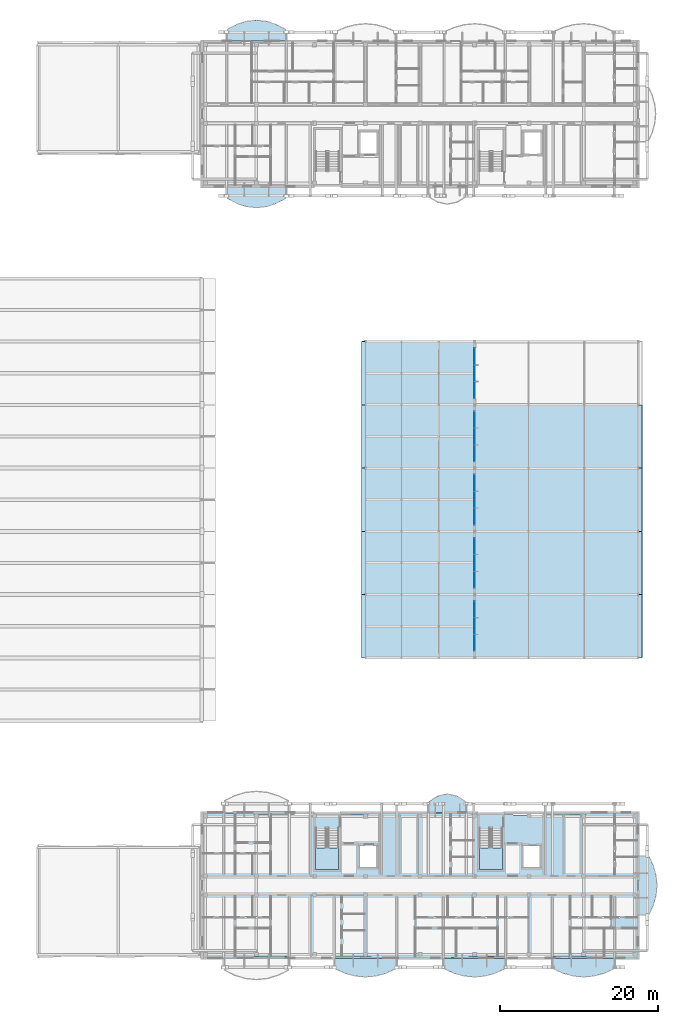
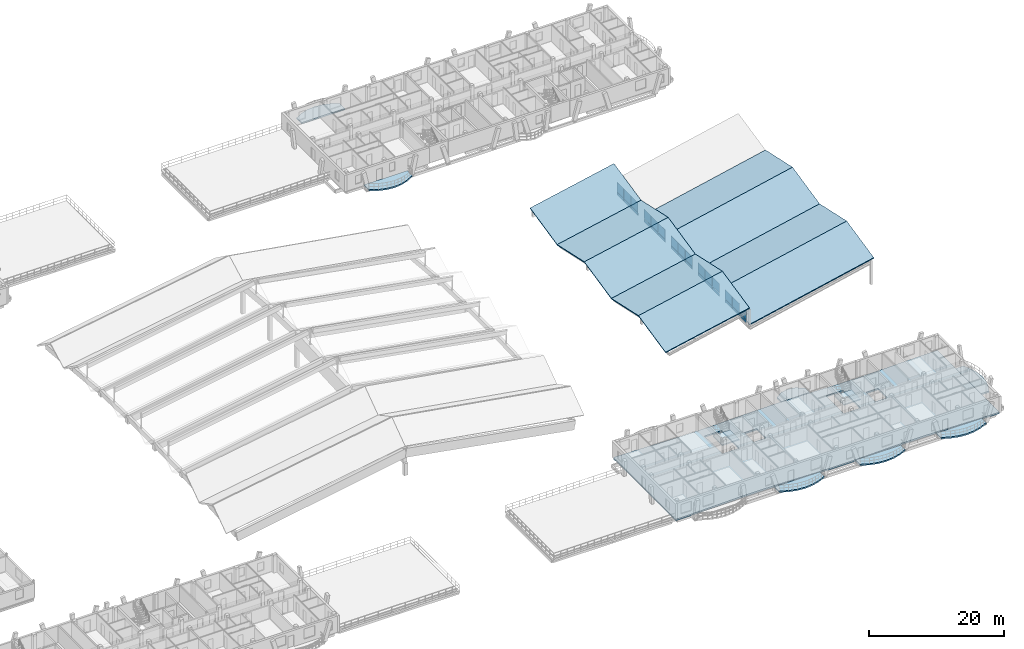
# One storey, part 54 of 109: 30 plates, 19 slabs, 7 elements without a shape of their own.
"""IFC4 building model written with IfcOpenShell, lengths in metres."""

import ifcopenshell
import ifcopenshell.guid

model = None  # the IFC model being written
_history = None  # IfcOwnerHistory: only IFC2X3 demands one
_inside = {}  # id of a spatial element -> (the spatial element, [elements in it])
_under = {}  # id of a project, library or spatial element -> (it, [spatial elements below it])
_declared = {}  # id of a project -> (the project, [libraries it declares])
_typed = {}  # id of a type object -> (the type object, [elements of that type])
_made_of = {}  # id of a material, layer set ... -> (it, [elements and type objects made of it])


def new_model(schema):
    """Start an empty IFC model of exactly this schema.

    Asked for "IFC4X3", IfcOpenShell would pick the latest addendum, in which some entities
    have other attributes; the version numbers below select the first issue.
    IFC2X3 requires an IfcOwnerHistory on every rooted entity: one is made here for all.
    """
    global model, _history
    if schema == "IFC4X3":
        model = ifcopenshell.file(schema_version=(4, 3, 0, 0))
    else:
        model = ifcopenshell.file(schema=schema)
    _inside.clear()
    _under.clear()
    _declared.clear()
    _typed.clear()
    _made_of.clear()
    _history = None
    if model.schema == "IFC2X3":
        org = make("IfcOrganization", Name="unknown")
        user = make(
            "IfcPersonAndOrganization",
            ThePerson=make("IfcPerson", FamilyName="unknown"),
            TheOrganization=org,
        )
        app = make(
            "IfcApplication",
            ApplicationDeveloper=org,
            Version="unknown",
            ApplicationFullName="unknown",
            ApplicationIdentifier="unknown",
        )
        _history = make(
            "IfcOwnerHistory",
            OwningUser=user,
            OwningApplication=app,
            ChangeAction="ADDED",
            CreationDate=0,
        )
    return model


def make(cls, **values):
    """One entity of the class cls with the attributes given. An attribute that is None is left unset."""
    return model.create_entity(
        cls, **{name: value for name, value in values.items() if value is not None}
    )


def rooted(cls, **values):
    """An entity with a GlobalId (a new one), such as an element, a storey or a relation."""
    return make(cls, GlobalId=ifcopenshell.guid.new(), OwnerHistory=_history, **values)


def si_unit(unit_type, name, prefix=None):
    """IfcSIUnit, for example si_unit("LENGTHUNIT", "METRE", prefix="MILLI")."""
    return make("IfcSIUnit", UnitType=unit_type, Prefix=prefix, Name=name)


def assignment(units):
    """IfcUnitAssignment: the units of a project."""
    return None if units is None else make("IfcUnitAssignment", Units=units)


def point(xyz):
    """IfcCartesianPoint."""
    return None if xyz is None else make("IfcCartesianPoint", Coordinates=xyz)


def direction(xyz):
    """IfcDirection."""
    return None if xyz is None else make("IfcDirection", DirectionRatios=xyz)


def frame(location, z_axis=None, x_axis=None):
    """IfcAxis2Placement3D, a coordinate frame: its origin and axes. An axis left out is left unset."""
    return make(
        "IfcAxis2Placement3D",
        Location=point(location),
        Axis=direction(z_axis),
        RefDirection=direction(x_axis),
    )


def frame_2d(location, x_axis=None):
    """IfcAxis2Placement2D, a coordinate frame in the plane: its origin and x axis."""
    return make(
        "IfcAxis2Placement2D", Location=point(location), RefDirection=direction(x_axis)
    )


def origin():
    """The frame at (0, 0, 0) with its axes left unset."""
    return frame((0.0, 0.0, 0.0))


def origin_2d():
    """The frame at (0, 0) in the plane with its x axis left unset."""
    return frame_2d((0.0, 0.0))


def place(relative_to, where):
    """IfcLocalPlacement: puts the frame where relative to a parent placement (None: the world)."""
    return make(
        "IfcLocalPlacement", PlacementRelTo=relative_to, RelativePlacement=where
    )


def context(
    kind, dimensions, precision=None, world=None, true_north=None, identifier=None
):
    """IfcGeometricRepresentationContext, for example the 3D "Model" context."""
    return make(
        "IfcGeometricRepresentationContext",
        ContextIdentifier=identifier,
        ContextType=kind,
        CoordinateSpaceDimension=dimensions,
        Precision=precision,
        WorldCoordinateSystem=world,
        TrueNorth=true_north,
    )


def subcontext(parent, identifier, kind, view, scale=None):
    """IfcGeometricRepresentationSubContext, for example "Body" below "Model"."""
    return make(
        "IfcGeometricRepresentationSubContext",
        ContextIdentifier=identifier,
        ContextType=kind,
        ParentContext=parent,
        TargetScale=scale,
        TargetView=view,
    )


def project(units=None, contexts=None):
    """IfcProject with its units and contexts."""
    return rooted(
        "IfcProject",
        Name="project",
        RepresentationContexts=contexts,
        UnitsInContext=assignment(units),
    )


def spatial(cls, under=None, at=None, **own):
    """A site, building, storey or space (cls), placed at a placement, below another one or the project."""
    s = rooted(cls, ObjectPlacement=at, **own)
    if under is not None:
        _under.setdefault(under.id(), (under, []))[1].append(s)
    return s


def polyline(points):
    """IfcPolyline through the points."""
    return make("IfcPolyline", Points=[point(p) for p in points])


def profile(cls, at=None, kind="AREA", **sizes):
    """A parametric profile (cls). Its sizes go by their IFC names, for example OverallWidth=200.0."""
    return make(cls, ProfileType=kind, Position=at, **sizes)


def rectangle(**sizes):
    """IfcRectangleProfileDef."""
    return profile("IfcRectangleProfileDef", **sizes)


def outline(outer, holes=None, kind="AREA"):
    """IfcArbitraryClosedProfileDef: a profile drawn as a closed curve; with holes, ...WithVoids."""
    if holes is None:
        return make("IfcArbitraryClosedProfileDef", ProfileType=kind, OuterCurve=outer)
    return make(
        "IfcArbitraryProfileDefWithVoids",
        ProfileType=kind,
        OuterCurve=outer,
        InnerCurves=holes,
    )


def extrude(swept, where, along, depth):
    """IfcExtrudedAreaSolid: the profile swept, set in the frame where, extruded along a direction by depth."""
    return make(
        "IfcExtrudedAreaSolid",
        SweptArea=swept,
        Position=where,
        ExtrudedDirection=direction(along),
        Depth=depth,
    )


def shape(context_of_items, identifier, shape_type, items):
    """IfcShapeRepresentation: the items that make up one representation, for example the "Body"."""
    return make(
        "IfcShapeRepresentation",
        ContextOfItems=context_of_items,
        RepresentationIdentifier=identifier,
        RepresentationType=shape_type,
        Items=items,
    )


def material(Name=None, Category=None):
    """IfcMaterial."""
    return make("IfcMaterial", Name=Name, Category=Category)


def layer(
    of_material, thickness, ventilated=None, Name=None, Category=None, Priority=None
):
    """IfcMaterialLayer: one layer of a wall or slab, of a material (None: an air gap)."""
    return make(
        "IfcMaterialLayer",
        Material=of_material,
        LayerThickness=thickness,
        IsVentilated=ventilated,
        Name=Name,
        Category=Category,
        Priority=Priority,
    )


def layer_set(layers, Name=None):
    """IfcMaterialLayerSet."""
    return make("IfcMaterialLayerSet", MaterialLayers=layers, LayerSetName=Name)


def made_of(thing, what):
    """Note that an element or type object is made of a material, layer set ...; save() writes the relation."""
    if what is not None:
        _made_of.setdefault(what.id(), (what, []))[1].append(thing)
    return thing


def type_object(cls, material=None, **own):
    """A type object (cls), such as IfcWallType, which elements share."""
    return made_of(rooted(cls, **own), material)


def element(
    cls,
    number,
    at=None,
    inside=None,
    cuts=None,
    type_object=None,
    material=None,
    context=None,
    identifier="Body",
    shape_type=None,
    held_by="IfcProductDefinitionShape",
    body=None,
    shapes=None,
    **own,
):
    """One element of the class cls, such as IfcWall. Its Tag is "e" and its number.

    at: its placement. inside: the storey or other place that contains it. cuts: it is an
    opening in that element (IfcRelVoidsElement). A single representation is given by context,
    identifier, shape_type and body (its items); several are given by shapes. held_by: the class
    of the entity that holds the representations. save() writes the other relations.
    """
    e = rooted(cls, Tag="e%d" % number, ObjectPlacement=at, **own)
    if body is not None:
        shapes = [shape(context, identifier, shape_type, body)]
    if shapes is not None:
        e.Representation = make(held_by, Representations=shapes)
    if inside is not None:
        _inside.setdefault(inside.id(), (inside, []))[1].append(e)
    if cuts is not None:
        rooted(
            "IfcRelVoidsElement", RelatingBuildingElement=cuts, RelatedOpeningElement=e
        )
    if type_object is not None:
        _typed.setdefault(type_object.id(), (type_object, []))[1].append(e)
    return made_of(e, material)


def aggregate(whole, parts):
    """IfcRelAggregates: a whole, such as a stair, and the parts it consists of."""
    return rooted("IfcRelAggregates", RelatingObject=whole, RelatedObjects=parts)


def save(model, path):
    """Write the relations noted so far, then the file.

    IfcRelAggregates (storeys below a building ...), IfcRelContainedInSpatialStructure (elements
    in a storey), IfcRelDefinesByType, IfcRelAssociatesMaterial and IfcRelDeclares: one each for
    every whole, place, type object, material and project.
    """
    for whole, parts in _under.values():
        aggregate(whole, parts)
    for where, things in _inside.values():
        rooted(
            "IfcRelContainedInSpatialStructure",
            RelatedElements=things,
            RelatingStructure=where,
        )
    for kind, things in _typed.values():
        rooted("IfcRelDefinesByType", RelatedObjects=things, RelatingType=kind)
    for what, things in _made_of.values():
        rooted("IfcRelAssociatesMaterial", RelatedObjects=things, RelatingMaterial=what)
    for by, libraries in _declared.values():
        rooted("IfcRelDeclares", RelatingContext=by, RelatedDefinitions=libraries)
    model.write(path)


model = new_model("IFC4")

# Units and contexts
model_context = context("Model", 3, precision=1e-05, world=origin(), true_north=direction((0.0, 1.0)))
body_context = subcontext(model_context, "Body", "Model", "MODEL_VIEW")
ifc_project = project(units=[si_unit("LENGTHUNIT", "METRE"), si_unit("AREAUNIT", "SQUARE_METRE"), si_unit("VOLUMEUNIT", "CUBIC_METRE"), si_unit("PLANEANGLEUNIT", "RADIAN"), si_unit("MASSUNIT", "GRAM", prefix="KILO")], contexts=[model_context])

# Site, building, storey
site_placement = place(None, origin())
site = spatial("IfcSite", under=ifc_project, at=site_placement, CompositionType="ELEMENT")
building_placement = place(site_placement, origin())
building = spatial("IfcBuilding", under=site, at=building_placement, Name="Zavelmont Quarter", CompositionType="ELEMENT")
storey_placement = place(building_placement, frame((0.0, 0.0, 8.0)))
storey = spatial("IfcBuildingStorey", under=building, at=storey_placement, Name="L02", CompositionType="ELEMENT", Elevation=8.0)

# Curtain wall, plates
ifc_material_1 = material(Name="Thermally broken aluminium and double low-E safety glazing", Category="aluminium")
curtain_wall_type = type_object("IfcCurtainWallType", Name="CW-640X240", PredefinedType="NOTDEFINED", material=ifc_material_1)
curtain_wall_1_placement = place(storey_placement, origin())
curtain_wall_1 = element("IfcCurtainWall", 1, at=curtain_wall_1_placement, inside=storey, type_object=curtain_wall_type, Name="L02 unitised curtain wall CW-640X240", PredefinedType="NOTDEFINED")
ifc_material_2 = material(Name="Insulated anodised-aluminium spandrel panel", Category="aluminium")
ifc_layer_1 = layer(ifc_material_2, 0.0400390625)
ifc_layer_set_1 = layer_set([ifc_layer_1], Name="Insulated anodised-aluminium spandrel panel")
plate_type_1 = type_object("IfcPlateType", Name="CWP-SPD-2045X485", PredefinedType="CURTAIN_PANEL", material=ifc_layer_set_1)
plate_1_placement = place(storey_placement, frame((147.300048828125, 39.881591796875, -0.2998046875), z_axis=(0.0, 0.0, 1.0), x_axis=(0.0, 1.0, 0.0)))
plate_1 = element("IfcPlate", 2, at=plate_1_placement, type_object=plate_type_1, Name="CW-640X240 panel 1.1", PredefinedType="CURTAIN_PANEL", context=body_context, shape_type="SweptSolid", body=[
    extrude(rectangle(XDim=2.043212890625, YDim=0.0400390625, at=origin_2d()), origin(), (0.0, 0.0, 1.0), 0.486083984375),
])
plate_2_placement = place(storey_placement, frame((147.300048828125, 44.118408203125, -0.2998046875), z_axis=(0.0, 0.0, 1.0), x_axis=(0.0, 1.0, 0.0)))
plate_2 = element("IfcPlate", 3, at=plate_2_placement, type_object=plate_type_1, Name="CW-640X240 panel 3.1", PredefinedType="CURTAIN_PANEL", context=body_context, shape_type="SweptSolid", body=[
    extrude(rectangle(XDim=2.043212890625, YDim=0.0400390625, at=origin_2d()), origin(), (0.0, 0.0, 1.0), 0.486083984375),
])

curtain_wall_2_placement = place(storey_placement, origin())
curtain_wall_2 = element("IfcCurtainWall", 4, at=curtain_wall_2_placement, inside=storey, type_object=curtain_wall_type, Name="L02 unitised curtain wall CW-640X240", PredefinedType="NOTDEFINED")
plate_3_placement = place(storey_placement, frame((147.300048828125, 47.881591796875, -0.2998046875), z_axis=(0.0, 0.0, 1.0), x_axis=(0.0, 1.0, 0.0)))
plate_3 = element("IfcPlate", 5, at=plate_3_placement, type_object=plate_type_1, Name="CW-640X240 panel 1.1", PredefinedType="CURTAIN_PANEL", context=body_context, shape_type="SweptSolid", body=[
    extrude(rectangle(XDim=2.043212890625, YDim=0.0400390625, at=origin_2d()), origin(), (0.0, 0.0, 1.0), 0.486083984375),
])
plate_4_placement = place(storey_placement, frame((147.300048828125, 52.118408203125, -0.2998046875), z_axis=(0.0, 0.0, 1.0), x_axis=(0.0, 1.0, 0.0)))
plate_4 = element("IfcPlate", 6, at=plate_4_placement, type_object=plate_type_1, Name="CW-640X240 panel 3.1", PredefinedType="CURTAIN_PANEL", context=body_context, shape_type="SweptSolid", body=[
    extrude(rectangle(XDim=2.043212890625, YDim=0.0400390625, at=origin_2d()), origin(), (0.0, 0.0, 1.0), 0.486083984375),
])

curtain_wall_3_placement = place(storey_placement, origin())
curtain_wall_3 = element("IfcCurtainWall", 7, at=curtain_wall_3_placement, inside=storey, type_object=curtain_wall_type, Name="L02 unitised curtain wall CW-640X240", PredefinedType="NOTDEFINED")
plate_5_placement = place(storey_placement, frame((147.300048828125, 55.881591796875, -0.2998046875), z_axis=(0.0, 0.0, 1.0), x_axis=(0.0, 1.0, 0.0)))
plate_5 = element("IfcPlate", 8, at=plate_5_placement, type_object=plate_type_1, Name="CW-640X240 panel 1.1", PredefinedType="CURTAIN_PANEL", context=body_context, shape_type="SweptSolid", body=[
    extrude(rectangle(XDim=2.043212890625, YDim=0.0400390625, at=origin_2d()), origin(), (0.0, 0.0, 1.0), 0.486083984375),
])
plate_6_placement = place(storey_placement, frame((147.300048828125, 60.118408203125, -0.2998046875), z_axis=(0.0, 0.0, 1.0), x_axis=(0.0, 1.0, 0.0)))
plate_6 = element("IfcPlate", 9, at=plate_6_placement, type_object=plate_type_1, Name="CW-640X240 panel 3.1", PredefinedType="CURTAIN_PANEL", context=body_context, shape_type="SweptSolid", body=[
    extrude(rectangle(XDim=2.043212890625, YDim=0.0400390625, at=origin_2d()), origin(), (0.0, 0.0, 1.0), 0.486083984375),
])

curtain_wall_4_placement = place(storey_placement, origin())
curtain_wall_4 = element("IfcCurtainWall", 10, at=curtain_wall_4_placement, inside=storey, type_object=curtain_wall_type, Name="L02 unitised curtain wall CW-640X240", PredefinedType="NOTDEFINED")
plate_7_placement = place(storey_placement, frame((147.300048828125, 63.881591796875, -0.2998046875), z_axis=(0.0, 0.0, 1.0), x_axis=(0.0, 1.0, 0.0)))
plate_7 = element("IfcPlate", 11, at=plate_7_placement, type_object=plate_type_1, Name="CW-640X240 panel 1.1", PredefinedType="CURTAIN_PANEL", context=body_context, shape_type="SweptSolid", body=[
    extrude(rectangle(XDim=2.043212890625, YDim=0.0400390625, at=origin_2d()), origin(), (0.0, 0.0, 1.0), 0.486083984375),
])
plate_8_placement = place(storey_placement, frame((147.300048828125, 68.118408203125, -0.2998046875), z_axis=(0.0, 0.0, 1.0), x_axis=(0.0, 1.0, 0.0)))
plate_8 = element("IfcPlate", 12, at=plate_8_placement, type_object=plate_type_1, Name="CW-640X240 panel 3.1", PredefinedType="CURTAIN_PANEL", context=body_context, shape_type="SweptSolid", body=[
    extrude(rectangle(XDim=2.043212890625, YDim=0.0400390625, at=origin_2d()), origin(), (0.0, 0.0, 1.0), 0.486083984375),
])

curtain_wall_5_placement = place(storey_placement, origin())
curtain_wall_5 = element("IfcCurtainWall", 13, at=curtain_wall_5_placement, inside=storey, type_object=curtain_wall_type, Name="L02 unitised curtain wall CW-640X240", PredefinedType="NOTDEFINED")
plate_9_placement = place(storey_placement, frame((147.300048828125, 71.881591796875, -0.2998046875), z_axis=(0.0, 0.0, 1.0), x_axis=(0.0, 1.0, 0.0)))
plate_9 = element("IfcPlate", 14, at=plate_9_placement, type_object=plate_type_1, Name="CW-640X240 panel 1.1", PredefinedType="CURTAIN_PANEL", context=body_context, shape_type="SweptSolid", body=[
    extrude(rectangle(XDim=2.043212890625, YDim=0.0400390625, at=origin_2d()), origin(), (0.0, 0.0, 1.0), 0.486083984375),
])
plate_10_placement = place(storey_placement, frame((147.300048828125, 76.118408203125, -0.2998046875), z_axis=(0.0, 0.0, 1.0), x_axis=(0.0, 1.0, 0.0)))
plate_10 = element("IfcPlate", 15, at=plate_10_placement, type_object=plate_type_1, Name="CW-640X240 panel 3.1", PredefinedType="CURTAIN_PANEL", context=body_context, shape_type="SweptSolid", body=[
    extrude(rectangle(XDim=2.043212890625, YDim=0.0400390625, at=origin_2d()), origin(), (0.0, 0.0, 1.0), 0.486083984375),
])

# Plate
ifc_layer_2 = layer(ifc_material_2, 0.0400390625)
ifc_layer_set_2 = layer_set([ifc_layer_2], Name="Insulated anodised-aluminium spandrel panel")
plate_type_2 = type_object("IfcPlateType", Name="CWP-SPD-2075X485", PredefinedType="CURTAIN_PANEL", material=ifc_layer_set_2)
plate_11_placement = place(storey_placement, frame((147.300048828125, 42.0, -0.2998046875), z_axis=(0.0, 0.0, 1.0), x_axis=(0.0, 1.0, 0.0)))
plate_11 = element("IfcPlate", 16, at=plate_11_placement, type_object=plate_type_2, Name="CW-640X240 panel 2.1", PredefinedType="CURTAIN_PANEL", context=body_context, shape_type="SweptSolid", body=[
    extrude(rectangle(XDim=2.0732421875, YDim=0.0400390625, at=origin_2d()), origin(), (0.0, 0.0, 1.0), 0.486083984375),
])

plate_12_placement = place(storey_placement, frame((147.300048828125, 50.0, -0.2998046875), z_axis=(0.0, 0.0, 1.0), x_axis=(0.0, 1.0, 0.0)))
plate_12 = element("IfcPlate", 17, at=plate_12_placement, type_object=plate_type_2, Name="CW-640X240 panel 2.1", PredefinedType="CURTAIN_PANEL", context=body_context, shape_type="SweptSolid", body=[
    extrude(rectangle(XDim=2.0732421875, YDim=0.0400390625, at=origin_2d()), origin(), (0.0, 0.0, 1.0), 0.486083984375),
])

plate_13_placement = place(storey_placement, frame((147.300048828125, 58.0, -0.2998046875), z_axis=(0.0, 0.0, 1.0), x_axis=(0.0, 1.0, 0.0)))
plate_13 = element("IfcPlate", 18, at=plate_13_placement, type_object=plate_type_2, Name="CW-640X240 panel 2.1", PredefinedType="CURTAIN_PANEL", context=body_context, shape_type="SweptSolid", body=[
    extrude(rectangle(XDim=2.0732421875, YDim=0.0400390625, at=origin_2d()), origin(), (0.0, 0.0, 1.0), 0.486083984375),
])

plate_14_placement = place(storey_placement, frame((147.300048828125, 66.0, -0.2998046875), z_axis=(0.0, 0.0, 1.0), x_axis=(0.0, 1.0, 0.0)))
plate_14 = element("IfcPlate", 19, at=plate_14_placement, type_object=plate_type_2, Name="CW-640X240 panel 2.1", PredefinedType="CURTAIN_PANEL", context=body_context, shape_type="SweptSolid", body=[
    extrude(rectangle(XDim=2.0732421875, YDim=0.0400390625, at=origin_2d()), origin(), (0.0, 0.0, 1.0), 0.486083984375),
])

plate_15_placement = place(storey_placement, frame((147.300048828125, 74.0, -0.2998046875), z_axis=(0.0, 0.0, 1.0), x_axis=(0.0, 1.0, 0.0)))
plate_15 = element("IfcPlate", 20, at=plate_15_placement, type_object=plate_type_2, Name="CW-640X240 panel 2.1", PredefinedType="CURTAIN_PANEL", context=body_context, shape_type="SweptSolid", body=[
    extrude(rectangle(XDim=2.0732421875, YDim=0.0400390625, at=origin_2d()), origin(), (0.0, 0.0, 1.0), 0.486083984375),
])

ifc_material_3 = material(Name="Double low-E insulated vision glass", Category="glass")
ifc_layer_3 = layer(ifc_material_3, 0.028076171875)
ifc_layer_set_3 = layer_set([ifc_layer_3], Name="Double low-E insulated vision glass")
plate_type_3 = type_object("IfcPlateType", Name="CWP-VIS-2045X1735", PredefinedType="CURTAIN_PANEL", material=ifc_layer_set_3)
plate_16_placement = place(storey_placement, frame((147.300048828125, 39.881591796875, 0.24609375), z_axis=(0.0, 0.0, 1.0), x_axis=(0.0, 1.0, 0.0)))
plate_16 = element("IfcPlate", 21, at=plate_16_placement, type_object=plate_type_3, Name="CW-640X240 panel 1.2", PredefinedType="CURTAIN_PANEL", context=body_context, shape_type="SweptSolid", body=[
    extrude(rectangle(XDim=2.043212890625, YDim=0.028076171875, at=origin_2d()), origin(), (0.0, 0.0, 1.0), 1.73388671875),
])

plate_17_placement = place(storey_placement, frame((147.300048828125, 44.118408203125, 0.24609375), z_axis=(0.0, 0.0, 1.0), x_axis=(0.0, 1.0, 0.0)))
plate_17 = element("IfcPlate", 22, at=plate_17_placement, type_object=plate_type_3, Name="CW-640X240 panel 3.2", PredefinedType="CURTAIN_PANEL", context=body_context, shape_type="SweptSolid", body=[
    extrude(rectangle(XDim=2.043212890625, YDim=0.028076171875, at=origin_2d()), origin(), (0.0, 0.0, 1.0), 1.73388671875),
])

plate_18_placement = place(storey_placement, frame((147.300048828125, 47.881591796875, 0.24609375), z_axis=(0.0, 0.0, 1.0), x_axis=(0.0, 1.0, 0.0)))
plate_18 = element("IfcPlate", 23, at=plate_18_placement, type_object=plate_type_3, Name="CW-640X240 panel 1.2", PredefinedType="CURTAIN_PANEL", context=body_context, shape_type="SweptSolid", body=[
    extrude(rectangle(XDim=2.043212890625, YDim=0.028076171875, at=origin_2d()), origin(), (0.0, 0.0, 1.0), 1.73388671875),
])

plate_19_placement = place(storey_placement, frame((147.300048828125, 52.118408203125, 0.24609375), z_axis=(0.0, 0.0, 1.0), x_axis=(0.0, 1.0, 0.0)))
plate_19 = element("IfcPlate", 24, at=plate_19_placement, type_object=plate_type_3, Name="CW-640X240 panel 3.2", PredefinedType="CURTAIN_PANEL", context=body_context, shape_type="SweptSolid", body=[
    extrude(rectangle(XDim=2.043212890625, YDim=0.028076171875, at=origin_2d()), origin(), (0.0, 0.0, 1.0), 1.73388671875),
])

plate_20_placement = place(storey_placement, frame((147.300048828125, 55.881591796875, 0.24609375), z_axis=(0.0, 0.0, 1.0), x_axis=(0.0, 1.0, 0.0)))
plate_20 = element("IfcPlate", 25, at=plate_20_placement, type_object=plate_type_3, Name="CW-640X240 panel 1.2", PredefinedType="CURTAIN_PANEL", context=body_context, shape_type="SweptSolid", body=[
    extrude(rectangle(XDim=2.043212890625, YDim=0.028076171875, at=origin_2d()), origin(), (0.0, 0.0, 1.0), 1.73388671875),
])

plate_21_placement = place(storey_placement, frame((147.300048828125, 60.118408203125, 0.24609375), z_axis=(0.0, 0.0, 1.0), x_axis=(0.0, 1.0, 0.0)))
plate_21 = element("IfcPlate", 26, at=plate_21_placement, type_object=plate_type_3, Name="CW-640X240 panel 3.2", PredefinedType="CURTAIN_PANEL", context=body_context, shape_type="SweptSolid", body=[
    extrude(rectangle(XDim=2.043212890625, YDim=0.028076171875, at=origin_2d()), origin(), (0.0, 0.0, 1.0), 1.73388671875),
])

plate_22_placement = place(storey_placement, frame((147.300048828125, 63.881591796875, 0.24609375), z_axis=(0.0, 0.0, 1.0), x_axis=(0.0, 1.0, 0.0)))
plate_22 = element("IfcPlate", 27, at=plate_22_placement, type_object=plate_type_3, Name="CW-640X240 panel 1.2", PredefinedType="CURTAIN_PANEL", context=body_context, shape_type="SweptSolid", body=[
    extrude(rectangle(XDim=2.043212890625, YDim=0.028076171875, at=origin_2d()), origin(), (0.0, 0.0, 1.0), 1.73388671875),
])

plate_23_placement = place(storey_placement, frame((147.300048828125, 68.118408203125, 0.24609375), z_axis=(0.0, 0.0, 1.0), x_axis=(0.0, 1.0, 0.0)))
plate_23 = element("IfcPlate", 28, at=plate_23_placement, type_object=plate_type_3, Name="CW-640X240 panel 3.2", PredefinedType="CURTAIN_PANEL", context=body_context, shape_type="SweptSolid", body=[
    extrude(rectangle(XDim=2.043212890625, YDim=0.028076171875, at=origin_2d()), origin(), (0.0, 0.0, 1.0), 1.73388671875),
])

plate_24_placement = place(storey_placement, frame((147.300048828125, 71.881591796875, 0.24609375), z_axis=(0.0, 0.0, 1.0), x_axis=(0.0, 1.0, 0.0)))
plate_24 = element("IfcPlate", 29, at=plate_24_placement, type_object=plate_type_3, Name="CW-640X240 panel 1.2", PredefinedType="CURTAIN_PANEL", context=body_context, shape_type="SweptSolid", body=[
    extrude(rectangle(XDim=2.043212890625, YDim=0.028076171875, at=origin_2d()), origin(), (0.0, 0.0, 1.0), 1.73388671875),
])

plate_25_placement = place(storey_placement, frame((147.300048828125, 76.118408203125, 0.24609375), z_axis=(0.0, 0.0, 1.0), x_axis=(0.0, 1.0, 0.0)))
plate_25 = element("IfcPlate", 30, at=plate_25_placement, type_object=plate_type_3, Name="CW-640X240 panel 3.2", PredefinedType="CURTAIN_PANEL", context=body_context, shape_type="SweptSolid", body=[
    extrude(rectangle(XDim=2.043212890625, YDim=0.028076171875, at=origin_2d()), origin(), (0.0, 0.0, 1.0), 1.73388671875),
])

ifc_layer_4 = layer(ifc_material_3, 0.028076171875)
ifc_layer_set_4 = layer_set([ifc_layer_4], Name="Double low-E insulated vision glass")
plate_type_4 = type_object("IfcPlateType", Name="CWP-VIS-2075X1735", PredefinedType="CURTAIN_PANEL", material=ifc_layer_set_4)
plate_26_placement = place(storey_placement, frame((147.300048828125, 42.0, 0.24609375), z_axis=(0.0, 0.0, 1.0), x_axis=(0.0, 1.0, 0.0)))
plate_26 = element("IfcPlate", 31, at=plate_26_placement, type_object=plate_type_4, Name="CW-640X240 panel 2.2", PredefinedType="CURTAIN_PANEL", context=body_context, shape_type="SweptSolid", body=[
    extrude(rectangle(XDim=2.0732421875, YDim=0.028076171875, at=origin_2d()), origin(), (0.0, 0.0, 1.0), 1.73388671875),
])

aggregate(curtain_wall_1, [plate_1, plate_16, plate_11, plate_26, plate_2, plate_17])

plate_27_placement = place(storey_placement, frame((147.300048828125, 50.0, 0.24609375), z_axis=(0.0, 0.0, 1.0), x_axis=(0.0, 1.0, 0.0)))
plate_27 = element("IfcPlate", 32, at=plate_27_placement, type_object=plate_type_4, Name="CW-640X240 panel 2.2", PredefinedType="CURTAIN_PANEL", context=body_context, shape_type="SweptSolid", body=[
    extrude(rectangle(XDim=2.0732421875, YDim=0.028076171875, at=origin_2d()), origin(), (0.0, 0.0, 1.0), 1.73388671875),
])

aggregate(curtain_wall_2, [plate_3, plate_18, plate_12, plate_27, plate_4, plate_19])

plate_28_placement = place(storey_placement, frame((147.300048828125, 58.0, 0.24609375), z_axis=(0.0, 0.0, 1.0), x_axis=(0.0, 1.0, 0.0)))
plate_28 = element("IfcPlate", 33, at=plate_28_placement, type_object=plate_type_4, Name="CW-640X240 panel 2.2", PredefinedType="CURTAIN_PANEL", context=body_context, shape_type="SweptSolid", body=[
    extrude(rectangle(XDim=2.0732421875, YDim=0.028076171875, at=origin_2d()), origin(), (0.0, 0.0, 1.0), 1.73388671875),
])

aggregate(curtain_wall_3, [plate_5, plate_20, plate_13, plate_28, plate_6, plate_21])

plate_29_placement = place(storey_placement, frame((147.300048828125, 66.0, 0.24609375), z_axis=(0.0, 0.0, 1.0), x_axis=(0.0, 1.0, 0.0)))
plate_29 = element("IfcPlate", 34, at=plate_29_placement, type_object=plate_type_4, Name="CW-640X240 panel 2.2", PredefinedType="CURTAIN_PANEL", context=body_context, shape_type="SweptSolid", body=[
    extrude(rectangle(XDim=2.0732421875, YDim=0.028076171875, at=origin_2d()), origin(), (0.0, 0.0, 1.0), 1.73388671875),
])

aggregate(curtain_wall_4, [plate_7, plate_22, plate_14, plate_29, plate_8, plate_23])

plate_30_placement = place(storey_placement, frame((147.300048828125, 74.0, 0.24609375), z_axis=(0.0, 0.0, 1.0), x_axis=(0.0, 1.0, 0.0)))
plate_30 = element("IfcPlate", 35, at=plate_30_placement, type_object=plate_type_4, Name="CW-640X240 panel 2.2", PredefinedType="CURTAIN_PANEL", context=body_context, shape_type="SweptSolid", body=[
    extrude(rectangle(XDim=2.0732421875, YDim=0.028076171875, at=origin_2d()), origin(), (0.0, 0.0, 1.0), 1.73388671875),
])

aggregate(curtain_wall_5, [plate_9, plate_24, plate_15, plate_30, plate_10, plate_25])

# Slabs
ifc_material_4 = material(Name="Concrete C35/45", Category="concrete")
ifc_layer_5 = layer(ifc_material_4, 0.2099609375)
ifc_layer_set_5 = layer_set([ifc_layer_5], Name="Concrete C35/45")
slab_type_1 = type_object("IfcSlabType", Name="NR01", PredefinedType="ROOF", material=ifc_layer_set_5)
slab_1_placement = place(storey_placement, frame((133.0, 38.0, 0.0), z_axis=(-0.200770370805, -0.209345653545, 0.957008701919), x_axis=(0.978694913885, 0.0, 0.205319910229)))
element("IfcSlab", 36, at=slab_1_placement, inside=storey, type_object=slab_type_1, Name="Sloped clerestory roof NR01", PredefinedType="ROOF", context=body_context, shape_type="SweptSolid", body=[
    extrude(outline(polyline([(0.0, 0.0), (14.61134478707416, 0.0), (14.970654629974067, 8.181283300118341), (0.35930984289990764, 8.181283300118341), (0.0, 0.0)])), origin(), (0.0, 0.0, -1.0), 0.2099609375),
])
ifc_layer_6 = layer(ifc_material_4, 0.2099609375)
ifc_layer_set_6 = layer_set([ifc_layer_6], Name="Concrete C35/45")
slab_type_2 = type_object("IfcSlabType", Name="NR02", PredefinedType="ROOF", material=ifc_layer_set_6)
slab_2_placement = place(storey_placement, frame((147.300048828125, 38.0, 0.0), z_axis=(-0.208440181475, -0.209003051937, 0.955442523142), x_axis=(0.977020021784, 0.0, 0.213147547564)))
element("IfcSlab", 37, at=slab_2_placement, inside=storey, type_object=slab_type_2, Name="Sloped clerestory roof NR02", PredefinedType="ROOF", context=body_context, shape_type="SweptSolid", body=[
    extrude(outline(polyline([(0.0, 0.0), (21.698584163255543, 0.0), (22.07159237149182, 8.180670197275305), (0.3730082082362768, 8.180670197275305), (0.0, 0.0)])), origin(), (0.0, 0.0, -1.0), 0.2099609375),
])
ifc_layer_7 = layer(ifc_material_4, 0.2099609375)
ifc_layer_set_7 = layer_set([ifc_layer_7], Name="Concrete C35/45")
slab_type_3 = type_object("IfcSlabType", Name="NR03", PredefinedType="ROOF", material=ifc_layer_set_7)
slab_3_placement = place(storey_placement, frame((133.0, 46.0, 1.75), z_axis=(-0.200770370805, 0.209345653545, 0.957008701919), x_axis=(0.978694913885, 0.0, 0.205319910229)))
element("IfcSlab", 38, at=slab_3_placement, inside=storey, type_object=slab_type_3, Name="Sloped clerestory roof NR03", PredefinedType="ROOF", context=body_context, shape_type="SweptSolid", body=[
    extrude(outline(polyline([(0.0, 0.0), (14.61134478707416, 0.0), (14.252034944174252, 8.181283300118341), (-0.35930984289990764, 8.181283300118341), (0.0, 0.0)])), origin(), (0.0, 0.0, -1.0), 0.2099609375),
])
ifc_layer_8 = layer(ifc_material_4, 0.2099609375)
ifc_layer_set_8 = layer_set([ifc_layer_8], Name="Concrete C35/45")
slab_type_4 = type_object("IfcSlabType", Name="NR04", PredefinedType="ROOF", material=ifc_layer_set_8)
slab_4_placement = place(storey_placement, frame((147.300048828125, 46.0, 1.75), z_axis=(-0.208440181475, 0.209003051937, 0.955442523142), x_axis=(0.977020021784, 0.0, 0.213147547564)))
element("IfcSlab", 39, at=slab_4_placement, inside=storey, type_object=slab_type_4, Name="Sloped clerestory roof NR04", PredefinedType="ROOF", context=body_context, shape_type="SweptSolid", body=[
    extrude(outline(polyline([(0.0, 0.0), (21.698584163255543, 0.0), (21.325575955019268, 8.180670197275305), (-0.3730082082362768, 8.180670197275305), (0.0, 0.0)])), origin(), (0.0, 0.0, -1.0), 0.2099609375),
])
ifc_layer_9 = layer(ifc_material_4, 0.2099609375)
ifc_layer_set_9 = layer_set([ifc_layer_9], Name="Concrete C35/45")
slab_type_5 = type_object("IfcSlabType", Name="NR05", PredefinedType="ROOF", material=ifc_layer_set_9)
slab_5_placement = place(storey_placement, frame((133.0, 54.0, 0.0), z_axis=(-0.200770370805, -0.209345653545, 0.957008701919), x_axis=(0.978694913885, 0.0, 0.205319910229)))
element("IfcSlab", 40, at=slab_5_placement, inside=storey, type_object=slab_type_5, Name="Sloped clerestory roof NR05", PredefinedType="ROOF", context=body_context, shape_type="SweptSolid", body=[
    extrude(outline(polyline([(0.0, 0.0), (14.61134478707416, 0.0), (14.970654629974067, 8.181283300118341), (0.35930984289990764, 8.181283300118341), (0.0, 0.0)])), origin(), (0.0, 0.0, -1.0), 0.2099609375),
])
ifc_layer_10 = layer(ifc_material_4, 0.2099609375)
ifc_layer_set_10 = layer_set([ifc_layer_10], Name="Concrete C35/45")
slab_type_6 = type_object("IfcSlabType", Name="NR06", PredefinedType="ROOF", material=ifc_layer_set_10)
slab_6_placement = place(storey_placement, frame((147.300048828125, 54.0, 0.0), z_axis=(-0.208440181475, -0.209003051937, 0.955442523142), x_axis=(0.977020021784, 0.0, 0.213147547564)))
element("IfcSlab", 41, at=slab_6_placement, inside=storey, type_object=slab_type_6, Name="Sloped clerestory roof NR06", PredefinedType="ROOF", context=body_context, shape_type="SweptSolid", body=[
    extrude(outline(polyline([(0.0, 0.0), (21.698584163255543, 0.0), (22.07159237149182, 8.180670197275305), (0.3730082082362768, 8.180670197275305), (0.0, 0.0)])), origin(), (0.0, 0.0, -1.0), 0.2099609375),
])
ifc_layer_11 = layer(ifc_material_4, 0.2099609375)
ifc_layer_set_11 = layer_set([ifc_layer_11], Name="Concrete C35/45")
slab_type_7 = type_object("IfcSlabType", Name="NR07", PredefinedType="ROOF", material=ifc_layer_set_11)
slab_7_placement = place(storey_placement, frame((133.0, 62.0, 1.75), z_axis=(-0.200770370805, 0.209345653545, 0.957008701919), x_axis=(0.978694913885, 0.0, 0.205319910229)))
element("IfcSlab", 42, at=slab_7_placement, inside=storey, type_object=slab_type_7, Name="Sloped clerestory roof NR07", PredefinedType="ROOF", context=body_context, shape_type="SweptSolid", body=[
    extrude(outline(polyline([(0.0, 0.0), (14.61134478707416, 0.0), (14.252034944174252, 8.181283300118341), (-0.35930984289990764, 8.181283300118341), (0.0, 0.0)])), origin(), (0.0, 0.0, -1.0), 0.2099609375),
])
ifc_layer_12 = layer(ifc_material_4, 0.2099609375)
ifc_layer_set_12 = layer_set([ifc_layer_12], Name="Concrete C35/45")
slab_type_8 = type_object("IfcSlabType", Name="NR08", PredefinedType="ROOF", material=ifc_layer_set_12)
slab_8_placement = place(storey_placement, frame((147.300048828125, 62.0, 1.75), z_axis=(-0.208440181475, 0.209003051937, 0.955442523142), x_axis=(0.977020021784, 0.0, 0.213147547564)))
element("IfcSlab", 43, at=slab_8_placement, inside=storey, type_object=slab_type_8, Name="Sloped clerestory roof NR08", PredefinedType="ROOF", context=body_context, shape_type="SweptSolid", body=[
    extrude(outline(polyline([(0.0, 0.0), (21.698584163255543, 0.0), (21.325575955019268, 8.180670197275305), (-0.3730082082362768, 8.180670197275305), (0.0, 0.0)])), origin(), (0.0, 0.0, -1.0), 0.2099609375),
])
ifc_layer_13 = layer(ifc_material_4, 0.2099609375)
ifc_layer_set_13 = layer_set([ifc_layer_13], Name="Concrete C35/45")
slab_type_9 = type_object("IfcSlabType", Name="NR09", PredefinedType="ROOF", material=ifc_layer_set_13)
slab_9_placement = place(storey_placement, frame((133.0, 70.0, 0.0), z_axis=(-0.200770370805, -0.209345653545, 0.957008701919), x_axis=(0.978694913885, 0.0, 0.205319910229)))
element("IfcSlab", 44, at=slab_9_placement, inside=storey, type_object=slab_type_9, Name="Sloped clerestory roof NR09", PredefinedType="ROOF", context=body_context, shape_type="SweptSolid", body=[
    extrude(outline(polyline([(0.0, 0.0), (14.61134478707416, 0.0), (14.970654629974067, 8.181283300118341), (0.35930984289990764, 8.181283300118341), (0.0, 0.0)])), origin(), (0.0, 0.0, -1.0), 0.2099609375),
])
ifc_material_5 = material(Name="White architectural precast concrete C40/50", Category="concrete")
ifc_layer_14 = layer(ifc_material_5, 0.235107421875)
ifc_layer_set_14 = layer_set([ifc_layer_14], Name="White architectural precast concrete C40/50")
slab_type_10 = type_object("IfcSlabType", Name="SL-BL180", PredefinedType="FLOOR", material=ifc_layer_set_14)
slab_10_placement = place(storey_placement, frame((0.0, 0.0, -0.235107421875)))
element("IfcSlab", 45, at=slab_10_placement, inside=storey, type_object=slab_type_10, Name="L02 Block C courtyard outer vase balcony SL-BL180", PredefinedType="FLOOR", context=body_context, shape_type="SweptSolid", body=[
    extrude(outline(polyline([(116.02587890625, 97.580078125), (116.02587890625, 96.111083984375), (117.25048828125, 95.4609375), (118.475341796875, 95.071044921875), (119.699951171875, 94.94091796875), (120.9248046875, 95.071044921875), (122.1494140625, 95.4609375), (123.3740234375, 96.111083984375), (123.3740234375, 97.580078125), (116.02587890625, 97.580078125)])), origin(), (0.0, 0.0, 1.0), 0.235107421875),
])
slab_11_placement = place(storey_placement, frame((0.0, 0.0, -0.235107421875)))
element("IfcSlab", 46, at=slab_11_placement, inside=storey, type_object=slab_type_10, Name="L02 Block D street vase 3 balcony SL-BL180", PredefinedType="FLOOR", context=body_context, shape_type="SweptSolid", body=[
    extrude(outline(polyline([(143.44140625, -0.02001953125), (143.44140625, -1.332763671875), (144.727783203125, -1.91455078125), (146.013916015625, -2.263671875), (147.300048828125, -2.3798828125), (148.586181640625, -2.263671875), (149.872314453125, -1.91455078125), (151.158447265625, -1.332763671875), (151.158447265625, -0.02001953125), (143.44140625, -0.02001953125)])), origin(), (0.0, 0.0, 1.0), 0.235107421875),
])
ifc_layer_15 = layer(ifc_material_5, 0.2451171875)
ifc_layer_set_15 = layer_set([ifc_layer_15], Name="White architectural precast concrete C40/50")
slab_type_11 = type_object("IfcSlabType", Name="SL-BL200", PredefinedType="FLOOR", material=ifc_layer_set_15)
slab_12_placement = place(storey_placement, frame((0.0, 0.0, -0.2451171875)))
element("IfcSlab", 47, at=slab_12_placement, inside=storey, type_object=slab_type_11, Name="L02 Block D street vase 2 balcony SL-BL200", PredefinedType="FLOOR", context=body_context, shape_type="SweptSolid", body=[
    extrude(outline(polyline([(129.6416015625, -0.02001953125), (129.6416015625, -1.332763671875), (130.927734375, -1.91455078125), (132.2138671875, -2.263671875), (133.5, -2.3798828125), (134.7861328125, -2.263671875), (136.072265625, -1.91455078125), (137.3583984375, -1.332763671875), (137.3583984375, -0.02001953125), (129.6416015625, -0.02001953125)])), origin(), (0.0, 0.0, 1.0), 0.2451171875),
])
slab_13_placement = place(storey_placement, frame((0.0, 0.0, -0.2451171875)))
element("IfcSlab", 48, at=slab_13_placement, inside=storey, type_object=slab_type_11, Name="L02 Block D boulevard vase balcony SL-BL200", PredefinedType="FLOOR", context=body_context, shape_type="SweptSolid", body=[
    extrude(outline(polyline([(168.02001953125, 5.455078125), (169.332763671875, 5.455078125), (169.91455078125, 6.703369140625), (170.263671875, 7.95166015625), (170.3798828125, 9.199951171875), (170.263671875, 10.4482421875), (169.91455078125, 11.69677734375), (169.332763671875, 12.945068359375), (168.02001953125, 12.945068359375), (168.02001953125, 5.455078125)])), origin(), (0.0, 0.0, 1.0), 0.2451171875),
])
ifc_layer_16 = layer(ifc_material_5, 0.2548828125)
ifc_layer_set_16 = layer_set([ifc_layer_16], Name="White architectural precast concrete C40/50")
slab_type_12 = type_object("IfcSlabType", Name="SL-BL220", PredefinedType="FLOOR", material=ifc_layer_set_16)
slab_14_placement = place(storey_placement, frame((0.0, 0.0, -0.2548828125)))
element("IfcSlab", 49, at=slab_14_placement, inside=storey, type_object=slab_type_12, Name="L02 Block C street vase 1 balcony SL-BL220", PredefinedType="FLOOR", context=body_context, shape_type="SweptSolid", body=[
    extrude(outline(polyline([(123.3740234375, 116.02001953125), (123.3740234375, 117.489013671875), (122.1494140625, 118.138916015625), (120.9248046875, 118.529052734375), (119.699951171875, 118.658935546875), (118.475341796875, 118.529052734375), (117.25048828125, 118.138916015625), (116.02587890625, 117.489013671875), (116.02587890625, 116.02001953125), (123.3740234375, 116.02001953125)])), origin(), (0.0, 0.0, 1.0), 0.2548828125),
])
slab_15_placement = place(storey_placement, frame((0.0, 0.0, -0.2548828125)))
element("IfcSlab", 50, at=slab_15_placement, inside=storey, type_object=slab_type_12, Name="L02 Block D street vase 4 balcony SL-BL220", PredefinedType="FLOOR", context=body_context, shape_type="SweptSolid", body=[
    extrude(outline(polyline([(157.241455078125, -0.02001953125), (157.241455078125, -1.332763671875), (158.527587890625, -1.91455078125), (159.813720703125, -2.263671875), (161.10009765625, -2.3798828125), (162.38623046875, -2.263671875), (163.67236328125, -1.91455078125), (164.95849609375, -1.332763671875), (164.95849609375, -0.02001953125), (157.241455078125, -0.02001953125)])), origin(), (0.0, 0.0, 1.0), 0.2548828125),
])
slab_16_placement = place(storey_placement, frame((0.0, 0.0, -0.2548828125)))
element("IfcSlab", 51, at=slab_16_placement, inside=storey, type_object=slab_type_12, Name="L02 Block D courtyard central vase balcony SL-BL220", PredefinedType="FLOOR", context=body_context, shape_type="SweptSolid", body=[
    extrude(outline(polyline([(146.25390625, 18.419921875), (146.25390625, 19.73291015625), (145.052001953125, 20.518310546875), (143.85009765625, 20.780029296875), (142.648193359375, 20.518310546875), (141.4462890625, 19.73291015625), (141.4462890625, 18.419921875), (146.25390625, 18.419921875)])), origin(), (0.0, 0.0, 1.0), 0.2548828125),
])
ifc_layer_17 = layer(ifc_material_4, 0.27001953125)
ifc_layer_set_17 = layer_set([ifc_layer_17], Name="Concrete C35/45")
slab_type_13 = type_object("IfcSlabType", Name="SL-FL270", PredefinedType="FLOOR", material=ifc_layer_set_17)
slab_17_placement = place(storey_placement, frame((0.0, 0.0, -0.27001953125)))
element("IfcSlab", 52, at=slab_17_placement, inside=storey, type_object=slab_type_13, Name="L02 Block D floor slab SL-FL270", PredefinedType="FLOOR", context=body_context, shape_type="SweptSolid", body=[
    extrude(outline(polyline([(112.800048828125, 0.0), (116.25, 0.041015625), (119.699951171875, 0.139892578125), (123.14990234375, 0.239013671875), (126.60009765625, 0.280029296875), (130.050048828125, 0.239013671875), (133.5, 0.139892578125), (136.949951171875, 0.041015625), (140.39990234375, 0.0), (143.85009765625, 0.041015625), (147.300048828125, 0.139892578125), (150.75, 0.239013671875), (154.199951171875, 0.280029296875), (157.64990234375, 0.239013671875), (161.10009765625, 0.139892578125), (164.550048828125, 0.041015625), (168.0, 0.0), (168.0, 3.679931640625), (168.0, 7.360107421875), (168.0, 11.0400390625), (168.0, 14.719970703125), (168.0, 18.39990234375), (164.550048828125, 18.35888671875), (161.10009765625, 18.260009765625), (157.64990234375, 18.160888671875), (154.199951171875, 18.1201171875), (150.75, 18.160888671875), (147.300048828125, 18.260009765625), (143.85009765625, 18.35888671875), (140.39990234375, 18.39990234375), (136.949951171875, 18.35888671875), (133.5, 18.260009765625), (130.050048828125, 18.160888671875), (126.60009765625, 18.1201171875), (123.14990234375, 18.160888671875), (119.699951171875, 18.260009765625), (116.25, 18.35888671875), (112.800048828125, 18.39990234375), (112.800048828125, 14.719970703125), (112.800048828125, 11.0400390625), (112.800048828125, 7.360107421875), (112.800048828125, 3.679931640625), (112.800048828125, 0.0)]), holes=[polyline([(127.199951171875, 16.425048828125), (127.199951171875, 11.199951171875), (130.10009765625, 11.199951171875), (130.10009765625, 16.425048828125), (127.199951171875, 16.425048828125)]), polyline([(132.75, 11.5), (134.85009765625, 11.5), (134.85009765625, 14.25), (132.75, 14.25), (132.75, 11.5)]), polyline([(147.89990234375, 16.425048828125), (147.89990234375, 11.199951171875), (150.800048828125, 11.199951171875), (150.800048828125, 16.425048828125), (147.89990234375, 16.425048828125)]), polyline([(153.449951171875, 11.5), (155.550048828125, 11.5), (155.550048828125, 14.25), (153.449951171875, 14.25), (153.449951171875, 11.5)])]), origin(), (0.0, 0.0, 1.0), 0.27001953125),
])

# Stair, slab
stair_type = type_object("IfcStairType", Name="STR-1350-1778", PredefinedType="HALF_TURN_STAIR", material=ifc_material_4)
stair_1_placement = place(storey_placement, origin())
stair_1 = element("IfcStair", 53, at=stair_1_placement, inside=storey, type_object=stair_type, Name="L02 protected stair ST07", PredefinedType="HALF_TURN_STAIR")
ifc_layer_18 = layer(ifc_material_4, 0.199951171875)
ifc_layer_set_18 = layer_set([ifc_layer_18], Name="Concrete C35/45")
slab_type_14 = type_object("IfcSlabType", Name="SL-LND200", PredefinedType="LANDING", material=ifc_layer_set_18)
slab_18_placement = place(storey_placement, frame((0.0, 0.0, 1.39990234375)))
slab_18 = element("IfcSlab", 54, at=slab_18_placement, type_object=slab_type_14, Name="ST07 landing 1", PredefinedType="LANDING", context=body_context, shape_type="SweptSolid", body=[
    extrude(outline(polyline([(127.199951171875, 13.969970703125), (127.199951171875, 11.199951171875), (130.10009765625, 11.199951171875), (130.10009765625, 13.969970703125), (127.199951171875, 13.969970703125)])), origin(), (0.0, 0.0, 1.0), 0.2001953125),
])
aggregate(stair_1, [slab_18])

stair_2_placement = place(storey_placement, origin())
stair_2 = element("IfcStair", 55, at=stair_2_placement, inside=storey, type_object=stair_type, Name="L02 protected stair ST08", PredefinedType="HALF_TURN_STAIR")
slab_19_placement = place(storey_placement, frame((0.0, 0.0, 1.39990234375)))
slab_19 = element("IfcSlab", 56, at=slab_19_placement, type_object=slab_type_14, Name="ST08 landing 1", PredefinedType="LANDING", context=body_context, shape_type="SweptSolid", body=[
    extrude(outline(polyline([(147.89990234375, 13.969970703125), (147.89990234375, 11.199951171875), (150.800048828125, 11.199951171875), (150.800048828125, 13.969970703125), (147.89990234375, 13.969970703125)])), origin(), (0.0, 0.0, 1.0), 0.2001953125),
])
aggregate(stair_2, [slab_19])

save(model, "model.ifc")
